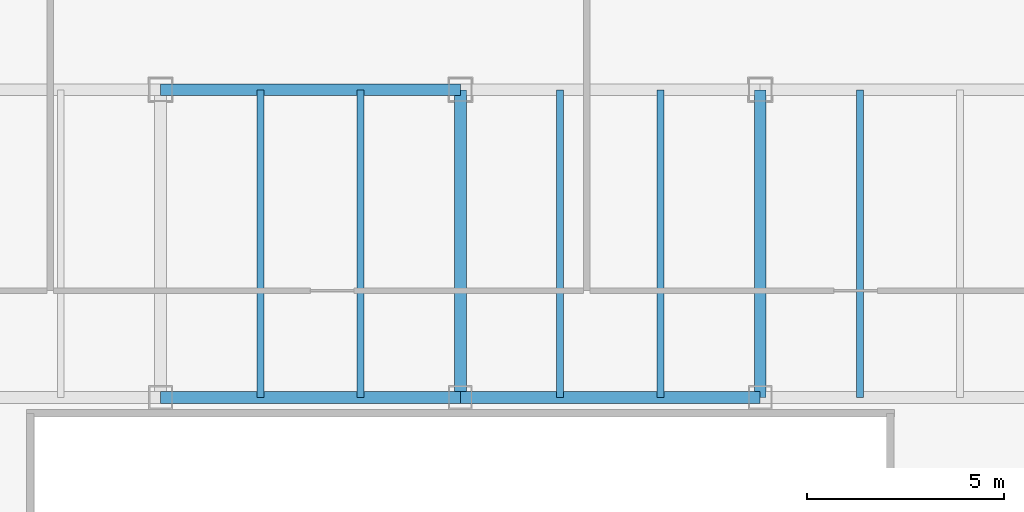
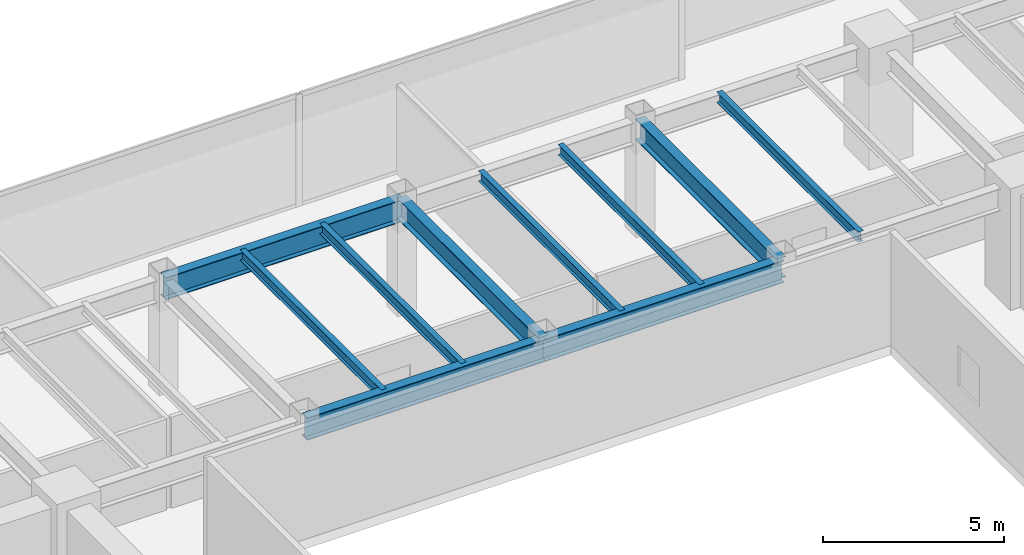
# One storey, part 17 of 36: 10 beams.
"""IFC4 building model written with IfcOpenShell, lengths in metres."""

from ifc_helpers import new_model, si_unit, direction, frame, origin, origin_2d, place, context, subcontext, project, spatial, i_section, extrude, source, transform, mapped, material, material_profile, profile_set, type_object, type_shapes, element, save


model = new_model("IFC4")

# Units and contexts
model_context = context("Model", 3, precision=1e-05, world=origin(), true_north=direction((0.0, 1.0)))
body_context = subcontext(model_context, "Body", "Model", "MODEL_VIEW")
ifc_project = project(units=[si_unit("LENGTHUNIT", "METRE"), si_unit("AREAUNIT", "SQUARE_METRE"), si_unit("VOLUMEUNIT", "CUBIC_METRE"), si_unit("PLANEANGLEUNIT", "RADIAN"), si_unit("MASSUNIT", "GRAM", prefix="KILO")], contexts=[model_context])

# Site, building, storey
site_placement = place(None, origin())
site = spatial("IfcSite", under=ifc_project, at=site_placement, CompositionType="ELEMENT")
building_placement = place(site_placement, origin())
building = spatial("IfcBuilding", under=site, at=building_placement, Name="Haelvirn Gate Laboratories", CompositionType="ELEMENT")
storey_placement = place(building_placement, frame((0.0, 0.0, 53.89990234375)))
storey = spatial("IfcBuildingStorey", under=building, at=storey_placement, Name="L13", CompositionType="ELEMENT", Elevation=53.89990234375)

# Beams
ifc_material = material(Name="Steel SM355", Category="steel")
ifc_material_profile_1 = material_profile(ifc_material, i_section(OverallWidth=0.300048828125, OverallDepth=0.699951171875, WebThickness=0.012939453125, FlangeThickness=0.02392578125, at=origin_2d()), Name="H-700x300x13x24")
ifc_profile_set_1 = profile_set([ifc_material_profile_1], Name="Steel SM355")
beam_type_1 = type_object("IfcBeamType", Name="BM-G-700", PredefinedType="BEAM", material=ifc_profile_set_1)
shared_shape_1 = source(origin(), body_context, "Body", "SweptSolid", [
    extrude(i_section(OverallWidth=0.300048828125, OverallDepth=0.699951171875, WebThickness=0.012939453125, FlangeThickness=0.02392578125, at=origin_2d()), origin(), (0.0, 0.0, 1.0), 7.800048828125),
])
type_shapes(beam_type_1, [shared_shape_1])
for number, where, z_axis, x_axis, name in (
    (1, (37.39990234375, 33.800048828125, 3.43017578125), (0.0, 1.0, 0.0), (-1.0, 0.0, 0.0), "L13 Frame Girder X37.4 (33.8-41.6)"),
    (2, (45.0, 33.800048828125, 3.43017578125), (0.0, 1.0, 0.0), (-1.0, 0.0, 0.0), "L13 Frame Girder X45.0 (33.8-41.6)"),
):
    element("IfcBeam", number, at=place(storey_placement, frame(where, z_axis=z_axis, x_axis=x_axis)), inside=storey, type_object=beam_type_1, Name=name, PredefinedType="BEAM", context=body_context, shape_type="MappedRepresentation", body=[
        mapped(shared_shape_1, transform((0.0, 0.0, 0.0), scale=1.0)),
    ])
ifc_material_profile_2 = material_profile(ifc_material, i_section(OverallWidth=0.300048828125, OverallDepth=0.75, WebThickness=0.013916015625, FlangeThickness=0.02392578125, at=origin_2d()), Name="H-750x300x14x24")
ifc_profile_set_2 = profile_set([ifc_material_profile_2], Name="Steel SM355")
beam_type_2 = type_object("IfcBeamType", Name="BM-G-750", PredefinedType="BEAM", material=ifc_profile_set_2)
shared_shape_2 = source(origin(), body_context, "Body", "SweptSolid", [
    extrude(i_section(OverallWidth=0.300048828125, OverallDepth=0.75, WebThickness=0.013916015625, FlangeThickness=0.02392578125, at=origin_2d()), origin(), (0.0, 0.0, 1.0), 7.60009765625),
])
beam_placement = place(storey_placement, frame((37.39990234375, 33.800048828125, 3.405029296875), z_axis=(1.0, 0.0, 0.0), x_axis=(0.0, 1.0, 0.0)))
element("IfcBeam", 3, at=beam_placement, inside=storey, type_object=beam_type_2, Name="L13 Primary Girder Y33.8 (37.4-45.0)", PredefinedType="BEAM", context=body_context, shape_type="MappedRepresentation", body=[
    mapped(shared_shape_2, transform((0.0, 0.0, 0.0), scale=1.0)),
])
shared_shape_3 = source(origin(), body_context, "Body", "SweptSolid", [
    extrude(i_section(OverallWidth=0.300048828125, OverallDepth=0.75, WebThickness=0.013916015625, FlangeThickness=0.02392578125, at=origin_2d()), origin(), (0.0, 0.0, 1.0), 7.599853515625),
])
type_shapes(beam_type_2, [shared_shape_2, shared_shape_3])
for number, where, z_axis, x_axis, name in (
    (4, (29.800048828125, 33.800048828125, 3.405029296875), (1.0, 0.0, 0.0), (0.0, 1.0, 0.0), "L13 Primary Girder Y33.8 (29.8-37.4)"),
    (5, (29.800048828125, 41.60009765625, 3.405029296875), (1.0, 0.0, 0.0), (0.0, 1.0, 0.0), "L13 Primary Girder Y41.6 (29.8-37.4)"),
):
    element("IfcBeam", number, at=place(storey_placement, frame(where, z_axis=z_axis, x_axis=x_axis)), inside=storey, type_object=beam_type_2, Name=name, PredefinedType="BEAM", context=body_context, shape_type="MappedRepresentation", body=[
        mapped(shared_shape_3, transform((0.0, 0.0, 0.0), scale=1.0)),
    ])
ifc_material_profile_3 = material_profile(ifc_material, i_section(OverallWidth=0.175048828125, OverallDepth=0.35009765625, WebThickness=0.007080078125, FlangeThickness=0.010986328125, at=origin_2d()), Name="H-350x175x7x11")
ifc_profile_set_3 = profile_set([ifc_material_profile_3], Name="Steel SM355")
beam_type_3 = type_object("IfcBeamType", Name="BM-J-350", PredefinedType="JOIST", material=ifc_profile_set_3)
shared_shape_4 = source(origin(), body_context, "Body", "SweptSolid", [
    extrude(i_section(OverallWidth=0.175048828125, OverallDepth=0.35009765625, WebThickness=0.007080078125, FlangeThickness=0.010986328125, at=origin_2d()), origin(), (0.0, 0.0, 1.0), 7.800048828125),
])
type_shapes(beam_type_3, [shared_shape_4])
for number, where, z_axis, x_axis, name in (
    (6, (32.330078125, 33.800048828125, 3.60498046875), (0.0, 1.0, 0.0), (-1.0, 0.0, 0.0), "L13 Composite Lab Joist North X32.33"),
    (7, (34.8701171875, 33.800048828125, 3.60498046875), (0.0, 1.0, 0.0), (-1.0, 0.0, 0.0), "L13 Composite Lab Joist North X34.87"),
    (8, (39.929931640625, 33.800048828125, 3.60498046875), (0.0, 1.0, 0.0), (-1.0, 0.0, 0.0), "L13 Composite Lab Joist North X39.93"),
    (9, (42.469970703125, 33.800048828125, 3.60498046875), (0.0, 1.0, 0.0), (-1.0, 0.0, 0.0), "L13 Composite Lab Joist North X42.47"),
    (10, (47.530029296875, 33.800048828125, 3.60498046875), (0.0, 1.0, 0.0), (-1.0, 0.0, 0.0), "L13 Composite Lab Joist North X47.53"),
):
    element("IfcBeam", number, at=place(storey_placement, frame(where, z_axis=z_axis, x_axis=x_axis)), inside=storey, type_object=beam_type_3, Name=name, PredefinedType="JOIST", context=body_context, shape_type="MappedRepresentation", body=[
        mapped(shared_shape_4, transform((0.0, 0.0, 0.0), scale=1.0)),
    ])

save(model, "model.ifc")
